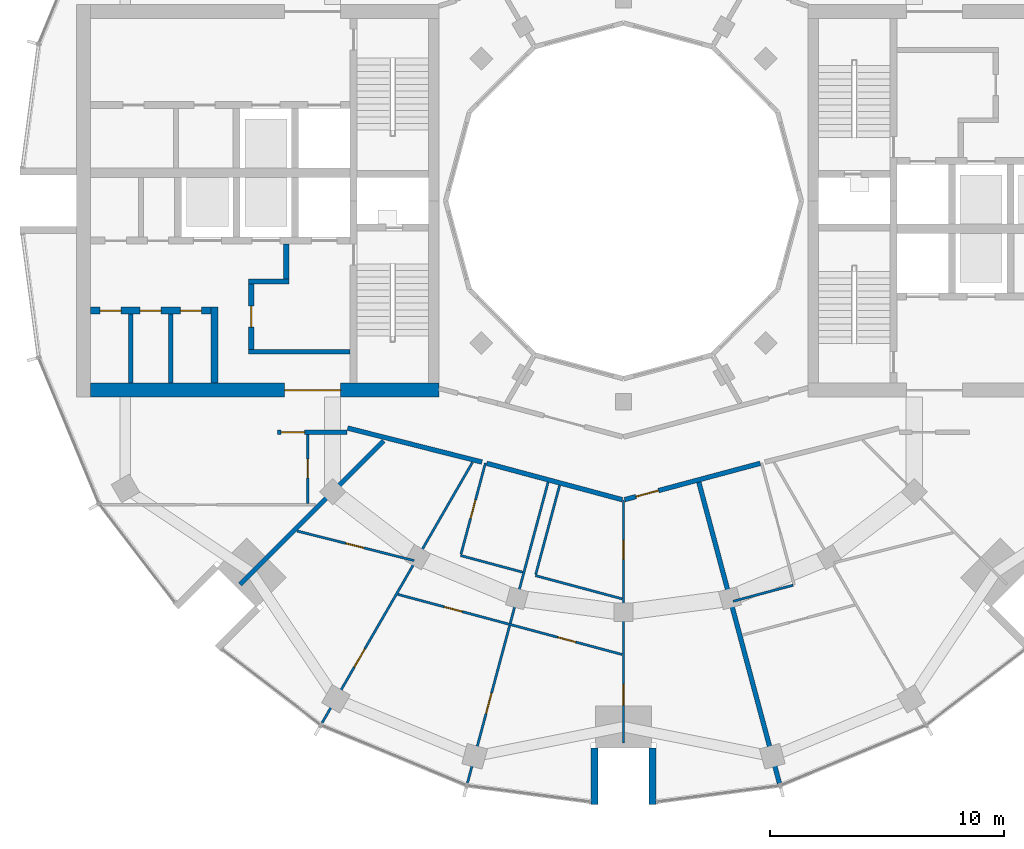
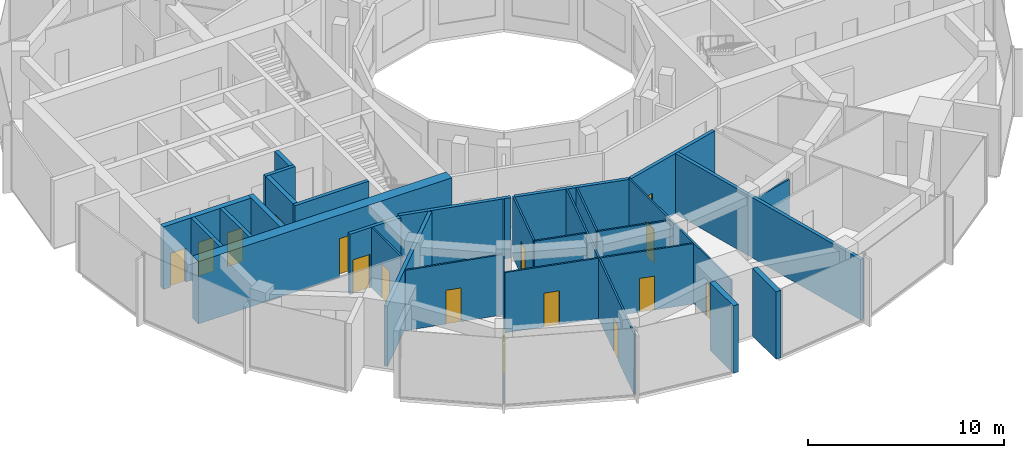
# One storey, part 8 of 15: 28 walls, 16 doors, 16 openings.
"""IFC4 building model written with IfcOpenShell, lengths in metres."""

from ifc_helpers import new_model, si_unit, direction, frame, frame_2d, origin, place, context, subcontext, project, spatial, rectangle, extrude, material, layer, layer_set, type_object, element, fill, save


model = new_model("IFC4")

# Units and contexts
model_context = context("Model", 3, precision=1e-05, world=origin(), true_north=direction((0.0, 1.0)))
body_context = subcontext(model_context, "Body", "Model", "MODEL_VIEW")
ifc_project = project(units=[si_unit("LENGTHUNIT", "METRE"), si_unit("AREAUNIT", "SQUARE_METRE"), si_unit("VOLUMEUNIT", "CUBIC_METRE"), si_unit("PLANEANGLEUNIT", "RADIAN"), si_unit("MASSUNIT", "GRAM", prefix="KILO")], contexts=[model_context])

# Site, building, storey
site_placement = place(None, origin())
site = spatial("IfcSite", under=ifc_project, at=site_placement, CompositionType="ELEMENT")
building_placement = place(site_placement, origin())
building = spatial("IfcBuilding", under=site, at=building_placement, Name="Torre Brocal", CompositionType="ELEMENT")
storey_placement = place(building_placement, frame((0.0, 0.0, 258.300048828125)))
storey = spatial("IfcBuildingStorey", under=building, at=storey_placement, Name="L59", CompositionType="ELEMENT", Elevation=258.300048828125)

# Walls
ifc_material_1 = material(Name="Masonry block", Category="masonry")
ifc_layer_1 = layer(ifc_material_1, 0.199951171875)
ifc_layer_set_1 = layer_set([ifc_layer_1], Name="Masonry block")
wall_type_1 = type_object("IfcWallType", Name="CORE PARTITION 200", PredefinedType="PARTITIONING", material=ifc_layer_set_1)
for number, where, z_axis, x_axis, name in (
    (1, (60.63330078125, 70.14990234375, 0.0), (0.0, 0.0, 1.0), (0.0, -1.0, 0.0), "Wall CP200"),
    (2, (58.916748046875, 70.14990234375, 0.0), (0.0, 0.0, 1.0), (0.0, -1.0, 0.0), "Wall CP200"),
):
    element("IfcWall", number, at=place(storey_placement, frame(where, z_axis=z_axis, x_axis=x_axis)), inside=storey, type_object=wall_type_1, Name=name, PredefinedType="PARTITIONING", context=body_context, shape_type="SweptSolid", body=[
        extrude(rectangle(XDim=2.949951171875, YDim=0.199951171875, at=frame_2d((1.47509765625, 0.0))), origin(), (0.0, 0.0, 1.0), 3.8798828125),
    ])
ifc_material_2 = material(Name="Concrete C60", Category="concrete")
ifc_layer_2 = layer(ifc_material_2, 0.199951171875)
ifc_layer_set_2 = layer_set([ifc_layer_2], Name="Concrete C60")
wall_type_2 = type_object("IfcWallType", Name="CORE WALL 200 C60", PredefinedType="SHEAR", material=ifc_layer_set_2)
wall_1_placement = place(storey_placement, frame((68.300048828125, 68.550048828125, 0.0), z_axis=(0.0, 0.0, 1.0), x_axis=(-1.0, 0.0, 0.0)))
element("IfcWall", 3, at=wall_1_placement, inside=storey, type_object=wall_type_2, Name="Wall CW200-60", PredefinedType="SHEAR", context=body_context, shape_type="SweptSolid", body=[
    extrude(rectangle(XDim=4.35009765625, YDim=0.199951171875, at=frame_2d((2.175048828125, 0.0))), origin(), (0.0, 0.0, 1.0), 3.8798828125),
])
wall_2_placement = place(storey_placement, frame((65.699951171875, 71.550048828125, 0.0), z_axis=(0.0, 0.0, 1.0), x_axis=(-1.0, 0.0, 0.0)))
element("IfcWall", 4, at=wall_2_placement, inside=storey, type_object=wall_type_2, Name="Wall CW200-60", PredefinedType="SHEAR", context=body_context, shape_type="SweptSolid", body=[
    extrude(rectangle(XDim=1.75, YDim=0.199951171875, at=frame_2d((0.875, 0.0))), origin(), (0.0, 0.0, 1.0), 3.8798828125),
])

# Wall, opening, door
ifc_material_3 = material(Name="Concrete C60", Category="concrete")
ifc_layer_3 = layer(ifc_material_3, 0.25)
ifc_layer_set_3 = layer_set([ifc_layer_3], Name="Concrete C60")
wall_type_3 = type_object("IfcWallType", Name="CORE WALL 250 C60", PredefinedType="SHEAR", material=ifc_layer_set_3)
wall_3_placement = place(storey_placement, frame((64.074951171875, 71.449951171875, 0.0), z_axis=(0.0, 0.0, 1.0), x_axis=(0.0, -1.0, 0.0)))
wall_3 = element("IfcWall", 5, at=wall_3_placement, inside=storey, type_object=wall_type_3, Name="Wall CW250-60", PredefinedType="SHEAR", context=body_context, shape_type="SweptSolid", body=[
    extrude(rectangle(XDim=2.800048828125, YDim=0.25, at=frame_2d((1.39990234375, 0.0))), origin(), (0.0, 0.0, 1.0), 3.8798828125),
])
opening_1_placement = place(wall_3_placement, frame((0.949951171875, 0.0, 0.0)))
opening_1 = element("IfcOpeningElement", 6, at=opening_1_placement, cuts=wall_3, Name="Opening W-D08", PredefinedType="OPENING", context=body_context, shape_type="SweptSolid", body=[
    extrude(rectangle(XDim=0.89990234375, YDim=2.10009765625, at=frame_2d((0.449951171875, 1.050048828125))), frame((0.0, 0.135009765625, 0.0), z_axis=(0.0, -1.0, 0.0), x_axis=(1.0, 0.0, 0.0)), (0.0, 0.0, 1.0), 0.27001953125),
])
ifc_material_4 = material(Name="Steel A653", Category="steel")
door_type_1 = type_object("IfcDoorType", Name="LOBBY DOOR FD120 900X2100", OperationType="SINGLE_SWING_RIGHT", PredefinedType="DOOR", material=ifc_material_4)
door_1_placement = place(opening_1_placement, origin())
door_1 = element("IfcDoor", 7, at=door_1_placement, inside=storey, type_object=door_type_1, Name="Door W-D08", OperationType="SINGLE_SWING_LEFT", OverallHeight=2.10009765625, OverallWidth=0.89990234375, PredefinedType="DOOR", context=body_context, shape_type="SweptSolid", body=[
    extrude(rectangle(XDim=0.89990234375, YDim=2.10009765625, at=frame_2d((0.449951171875, 1.050048828125))), frame((0.0, 0.02490234375, 0.0), z_axis=(0.0, -1.0, 0.0), x_axis=(1.0, 0.0, 0.0)), (0.0, 0.0, 1.0), 0.050048828125),
])
fill(opening_1, door_1)

# Walls
wall_4_placement = place(storey_placement, frame((65.574951171875, 73.14990234375, 0.0), z_axis=(0.0, 0.0, 1.0), x_axis=(0.0, -1.0, 0.0)))
element("IfcWall", 8, at=wall_4_placement, inside=storey, type_object=wall_type_3, Name="Wall CW250-60", PredefinedType="SHEAR", context=body_context, shape_type="SweptSolid", body=[
    extrude(rectangle(XDim=1.5, YDim=0.25, at=frame_2d((0.75, 0.0))), origin(), (0.0, 0.0, 1.0), 3.8798828125),
])
ifc_material_5 = material(Name="Concrete C60", Category="concrete")
ifc_layer_4 = layer(ifc_material_5, 0.300048828125)
ifc_layer_set_4 = layer_set([ifc_layer_4], Name="Concrete C60")
wall_type_4 = type_object("IfcWallType", Name="CORE WALL 300 C60", PredefinedType="SHEAR", material=ifc_layer_set_4)
wall_5_placement = place(storey_placement, frame((62.5, 70.449951171875, 0.0), z_axis=(0.0, 0.0, 1.0), x_axis=(0.0, -1.0, 0.0)))
element("IfcWall", 9, at=wall_5_placement, inside=storey, type_object=wall_type_4, Name="Wall CW300-60", PredefinedType="SHEAR", context=body_context, shape_type="SweptSolid", body=[
    extrude(rectangle(XDim=3.25, YDim=0.300048828125, at=frame_2d((1.625, 0.0))), origin(), (0.0, 0.0, 1.0), 3.8798828125),
])

# Wall, openings, doors
wall_6_placement = place(storey_placement, frame((62.35009765625, 70.300048828125, 0.0), z_axis=(0.0, 0.0, 1.0), x_axis=(-1.0, 0.0, 0.0)))
wall_6 = element("IfcWall", 10, at=wall_6_placement, inside=storey, type_object=wall_type_4, Name="Wall CW300-60", PredefinedType="SHEAR", context=body_context, shape_type="SweptSolid", body=[
    extrude(rectangle(XDim=5.150146484375, YDim=0.300048828125, at=frame_2d((2.5751953125, 0.0))), origin(), (0.0, 0.0, 1.0), 3.8798828125),
])
opening_2_placement = place(wall_6_placement, frame((0.408203125, 0.0, 0.0)))
opening_2 = element("IfcOpeningElement", 11, at=opening_2_placement, cuts=wall_6, Name="Opening W-D09", PredefinedType="OPENING", context=body_context, shape_type="SweptSolid", body=[
    extrude(rectangle(XDim=0.89990234375, YDim=2.10009765625, at=frame_2d((0.449951171875, 1.050048828125))), frame((0.0, 0.159912109375, 0.0), z_axis=(0.0, -1.0, 0.0), x_axis=(1.0, 0.0, 0.0)), (0.0, 0.0, 1.0), 0.320068359375),
])
opening_3_placement = place(wall_6_placement, frame((2.125, 0.0, 0.0)))
opening_3 = element("IfcOpeningElement", 12, at=opening_3_placement, cuts=wall_6, Name="Opening W-D10", PredefinedType="OPENING", context=body_context, shape_type="SweptSolid", body=[
    extrude(rectangle(XDim=0.89990234375, YDim=2.10009765625, at=frame_2d((0.449951171875, 1.050048828125))), frame((0.0, 0.159912109375, 0.0), z_axis=(0.0, -1.0, 0.0), x_axis=(1.0, 0.0, 0.0)), (0.0, 0.0, 1.0), 0.320068359375),
])
opening_4_placement = place(wall_6_placement, frame((3.841796875, 0.0, 0.0)))
opening_4 = element("IfcOpeningElement", 13, at=opening_4_placement, cuts=wall_6, Name="Opening W-D11", PredefinedType="OPENING", context=body_context, shape_type="SweptSolid", body=[
    extrude(rectangle(XDim=0.89990234375, YDim=2.10009765625, at=frame_2d((0.449951171875, 1.050048828125))), frame((0.0, 0.159912109375, 0.0), z_axis=(0.0, -1.0, 0.0), x_axis=(1.0, 0.0, 0.0)), (0.0, 0.0, 1.0), 0.320068359375),
])
ifc_material_6 = material(Name="Steel A653", Category="steel")
door_type_2 = type_object("IfcDoorType", Name="ROOM DOOR FD30S 900X2100", OperationType="SINGLE_SWING_LEFT", PredefinedType="DOOR", material=ifc_material_6)
door_2_placement = place(opening_2_placement, origin())
door_2 = element("IfcDoor", 14, at=door_2_placement, inside=storey, type_object=door_type_2, Name="Door W-D09", OperationType="SINGLE_SWING_RIGHT", OverallHeight=2.10009765625, OverallWidth=0.89990234375, PredefinedType="DOOR", context=body_context, shape_type="SweptSolid", body=[
    extrude(rectangle(XDim=0.89990234375, YDim=2.10009765625, at=frame_2d((0.449951171875, 1.050048828125))), frame((0.0, 0.02490234375, 0.0), z_axis=(0.0, -1.0, 0.0), x_axis=(1.0, 0.0, 0.0)), (0.0, 0.0, 1.0), 0.050048828125),
])
fill(opening_2, door_2)
door_3_placement = place(opening_3_placement, origin())
door_3 = element("IfcDoor", 15, at=door_3_placement, inside=storey, type_object=door_type_2, Name="Door W-D10", OperationType="SINGLE_SWING_LEFT", OverallHeight=2.10009765625, OverallWidth=0.89990234375, PredefinedType="DOOR", context=body_context, shape_type="SweptSolid", body=[
    extrude(rectangle(XDim=0.89990234375, YDim=2.10009765625, at=frame_2d((0.449951171875, 1.050048828125))), frame((0.0, 0.02490234375, 0.0), z_axis=(0.0, -1.0, 0.0), x_axis=(1.0, 0.0, 0.0)), (0.0, 0.0, 1.0), 0.050048828125),
])
fill(opening_3, door_3)
door_4_placement = place(opening_4_placement, origin())
door_4 = element("IfcDoor", 16, at=door_4_placement, inside=storey, type_object=door_type_2, Name="Door W-D11", OperationType="SINGLE_SWING_LEFT", OverallHeight=2.10009765625, OverallWidth=0.89990234375, PredefinedType="DOOR", context=body_context, shape_type="SweptSolid", body=[
    extrude(rectangle(XDim=0.89990234375, YDim=2.10009765625, at=frame_2d((0.449951171875, 1.050048828125))), frame((0.0, 0.02490234375, 0.0), z_axis=(0.0, -1.0, 0.0), x_axis=(1.0, 0.0, 0.0)), (0.0, 0.0, 1.0), 0.050048828125),
])
fill(opening_4, door_4)

# Wall, opening, door
ifc_material_7 = material(Name="Concrete C60", Category="concrete")
ifc_layer_5 = layer(ifc_material_7, 0.60009765625)
ifc_layer_set_5 = layer_set([ifc_layer_5], Name="Concrete C60")
wall_type_5 = type_object("IfcWallType", Name="CORE WALL 600 C60", PredefinedType="SHEAR", material=ifc_layer_set_5)
wall_7_placement = place(storey_placement, frame((72.10009765625, 66.89990234375, 0.0), z_axis=(0.0, 0.0, 1.0), x_axis=(-1.0, 0.0, 0.0)))
wall_7 = element("IfcWall", 17, at=wall_7_placement, inside=storey, type_object=wall_type_5, Name="Wall CW600-60", PredefinedType="SHEAR", context=body_context, shape_type="SweptSolid", body=[
    extrude(rectangle(XDim=14.900146484375, YDim=0.60009765625, at=frame_2d((7.4501953125, 0.0))), origin(), (0.0, 0.0, 1.0), 3.8798828125),
])
opening_5_placement = place(wall_7_placement, frame((4.199951171875, 0.0, 0.0)))
opening_5 = element("IfcOpeningElement", 18, at=opening_5_placement, cuts=wall_7, Name="Opening W-D12", PredefinedType="OPENING", context=body_context, shape_type="SweptSolid", body=[
    extrude(rectangle(XDim=2.39990234375, YDim=2.39990234375, at=frame_2d((1.199951171875, 1.199951171875))), frame((0.0, 0.31005859375, 0.0), z_axis=(0.0, -1.0, 0.0), x_axis=(1.0, 0.0, 0.0)), (0.0, 0.0, 1.0), 0.6201171875),
])
ifc_material_8 = material(Name="Steel A653", Category="steel")
door_type_3 = type_object("IfcDoorType", Name="DOUBLE FIRE DOOR FD90 2400X2400", OperationType="DOUBLE_DOOR_SINGLE_SWING", PredefinedType="DOOR", material=ifc_material_8)
door_5_placement = place(opening_5_placement, frame((2.39990234375, 0.0, 0.0), z_axis=(0.0, 0.0, 1.0), x_axis=(-1.0, 0.0, 0.0)))
door_5 = element("IfcDoor", 19, at=door_5_placement, inside=storey, type_object=door_type_3, Name="Door W-D12", OperationType="DOUBLE_DOOR_SINGLE_SWING", OverallHeight=2.39990234375, OverallWidth=2.39990234375, PredefinedType="DOOR", context=body_context, shape_type="SweptSolid", body=[
    extrude(rectangle(XDim=2.39990234375, YDim=2.39990234375, at=frame_2d((1.199951171875, 1.199951171875))), frame((0.0, 0.02490234375, 0.0), z_axis=(0.0, -1.0, 0.0), x_axis=(1.0, 0.0, 0.0)), (0.0, 0.0, 1.0), 0.050048828125),
])
fill(opening_5, door_5)

# Walls
ifc_material_9 = material(Name="Concrete C60", Category="concrete")
ifc_layer_6 = layer(ifc_material_9, 0.300048828125)
ifc_layer_set_6 = layer_set([ifc_layer_6], Name="Concrete C60")
wall_type_6 = type_object("IfcWallType", Name="NOTCH RETURN WALL 300 C60", PredefinedType="NOTDEFINED", material=ifc_layer_set_6)
for number, where, z_axis, x_axis, name in (
    (20, (78.75, 51.60009765625, 0.0), (0.0, 0.0, 1.0), (0.0, -1.0, 0.0), "NOTCH RETURN WALL"),
    (21, (81.25, 51.60009765625, 0.0), (0.0, 0.0, 1.0), (0.0, -1.0, 0.0), "NOTCH RETURN WALL"),
):
    element("IfcWall", number, at=place(storey_placement, frame(where, z_axis=z_axis, x_axis=x_axis)), inside=storey, type_object=wall_type_6, Name=name, PredefinedType="NOTDEFINED", context=body_context, shape_type="SweptSolid", body=[
        extrude(rectangle(XDim=2.415771484375, YDim=0.300048828125, at=frame_2d((1.2080078125, 0.0))), origin(), (0.0, 0.0, 1.0), 4.199951171875),
    ])

# Wall, opening, door
ifc_material_10 = material(Name="Gypsum board", Category="Gypsum")
ifc_layer_7 = layer(ifc_material_10, 0.10009765625)
ifc_layer_set_7 = layer_set([ifc_layer_7], Name="Gypsum board")
wall_type_7 = type_object("IfcWallType", Name="PARTITION 100", PredefinedType="PARTITIONING", material=ifc_layer_set_7)
wall_8_placement = place(storey_placement, frame((66.044677734375, 60.874755859375, 0.0), z_axis=(0.0, 0.0, 1.0), x_axis=(0.969437033678, -0.245340248908, 0.0)))
wall_8 = element("IfcWall", 22, at=wall_8_placement, inside=storey, type_object=wall_type_7, Name="BATHROOM WALL", PredefinedType="PARTITIONING", context=body_context, shape_type="SweptSolid", body=[
    extrude(rectangle(XDim=5.15966796875, YDim=0.10009765625, at=frame_2d((2.579833984375, 0.0))), origin(), (0.0, 0.0, 1.0), 3.75),
])
opening_6_placement = place(wall_8_placement, frame((2.139892578125, 0.0, 0.0)))
opening_6 = element("IfcOpeningElement", 23, at=opening_6_placement, cuts=wall_8, Name="Opening B04-D35", PredefinedType="OPENING", context=body_context, shape_type="SweptSolid", body=[
    extrude(rectangle(XDim=0.800048828125, YDim=2.10009765625, at=frame_2d((0.39990234375, 1.050048828125))), frame((0.0, 0.06005859375, 0.0), z_axis=(0.0, -1.0, 0.0), x_axis=(1.0, 0.0, 0.0)), (0.0, 0.0, 1.0), 0.1201171875),
])
ifc_material_11 = material(Name="Timber", Category="wood")
door_type_4 = type_object("IfcDoorType", Name="BATHROOM DOOR 800X2100", OperationType="SINGLE_SWING_LEFT", PredefinedType="DOOR", material=ifc_material_11)
door_6_placement = place(opening_6_placement, origin())
door_6 = element("IfcDoor", 24, at=door_6_placement, inside=storey, type_object=door_type_4, Name="B04-D35", OperationType="SINGLE_SWING_LEFT", OverallHeight=2.10009765625, OverallWidth=0.800048828125, PredefinedType="DOOR", context=body_context, shape_type="SweptSolid", body=[
    extrude(rectangle(XDim=0.800048828125, YDim=2.10009765625, at=frame_2d((0.39990234375, 1.050048828125))), frame((0.0, 0.02490234375, 0.0), z_axis=(0.0, -1.0, 0.0), x_axis=(1.0, 0.0, 0.0)), (0.0, 0.0, 1.0), 0.050048828125),
])
fill(opening_6, door_6)

wall_9_placement = place(storey_placement, frame((66.5, 62.050048828125, 0.0), z_axis=(0.0, 0.0, 1.0), x_axis=(0.0, 1.0, 0.0)))
wall_9 = element("IfcWall", 25, at=wall_9_placement, inside=storey, type_object=wall_type_7, Name="BATHROOM WALL", PredefinedType="PARTITIONING", context=body_context, shape_type="SweptSolid", body=[
    extrude(rectangle(XDim=2.949951171875, YDim=0.10009765625, at=frame_2d((1.47509765625, 0.0))), origin(), (0.0, 0.0, 1.0), 3.75),
])
opening_7_placement = place(wall_9_placement, frame((1.10009765625, 0.0, 0.0)))
opening_7 = element("IfcOpeningElement", 26, at=opening_7_placement, cuts=wall_9, Name="Opening B04-D38", PredefinedType="OPENING", context=body_context, shape_type="SweptSolid", body=[
    extrude(rectangle(XDim=0.800048828125, YDim=2.10009765625, at=frame_2d((0.39990234375, 1.050048828125))), frame((0.0, 0.06005859375, 0.0), z_axis=(0.0, -1.0, 0.0), x_axis=(1.0, 0.0, 0.0)), (0.0, 0.0, 1.0), 0.1201171875),
])
door_7_placement = place(opening_7_placement, frame((0.800048828125, 0.0, 0.0), z_axis=(0.0, 0.0, 1.0), x_axis=(-1.0, 0.0, 0.0)))
door_7 = element("IfcDoor", 27, at=door_7_placement, inside=storey, type_object=door_type_4, Name="B04-D38", OperationType="SINGLE_SWING_LEFT", OverallHeight=2.10009765625, OverallWidth=0.800048828125, PredefinedType="DOOR", context=body_context, shape_type="SweptSolid", body=[
    extrude(rectangle(XDim=0.800048828125, YDim=2.10009765625, at=frame_2d((0.39990234375, 1.050048828125))), frame((0.0, 0.02490234375, 0.0), z_axis=(0.0, -1.0, 0.0), x_axis=(1.0, 0.0, 0.0)), (0.0, 0.0, 1.0), 0.050048828125),
])
fill(opening_7, door_7)

wall_10_placement = place(storey_placement, frame((67.100830078125, 52.65869140625, 0.0), z_axis=(0.0, 0.0, 1.0), x_axis=(0.499999276258, 0.866025821636, 0.0)))
wall_10 = element("IfcWall", 28, at=wall_10_placement, inside=storey, type_object=wall_type_7, Name="BATHROOM WALL", PredefinedType="PARTITIONING", context=body_context, shape_type="SweptSolid", body=[
    extrude(rectangle(XDim=12.87646484375, YDim=0.10009765625, at=frame_2d((6.438232421875, 0.0))), origin(), (0.0, 0.0, 1.0), 3.75),
])
opening_8_placement = place(wall_10_placement, frame((2.76318359375, 0.0, 0.0)))
opening_8 = element("IfcOpeningElement", 29, at=opening_8_placement, cuts=wall_10, Name="Opening B04-D34", PredefinedType="OPENING", context=body_context, shape_type="SweptSolid", body=[
    extrude(rectangle(XDim=0.89990234375, YDim=2.10009765625, at=frame_2d((0.449951171875, 1.050048828125))), frame((0.0, 0.06005859375, 0.0), z_axis=(0.0, -1.0, 0.0), x_axis=(1.0, 0.0, 0.0)), (0.0, 0.0, 1.0), 0.1201171875),
])
ifc_material_12 = material(Name="Timber", Category="wood")
door_type_5 = type_object("IfcDoorType", Name="ROOM DOOR 900X2100", OperationType="SINGLE_SWING_LEFT", PredefinedType="DOOR", material=ifc_material_12)
door_8_placement = place(opening_8_placement, origin())
door_8 = element("IfcDoor", 30, at=door_8_placement, inside=storey, type_object=door_type_5, Name="B04-D34", OperationType="SINGLE_SWING_LEFT", OverallHeight=2.10009765625, OverallWidth=0.89990234375, PredefinedType="DOOR", context=body_context, shape_type="SweptSolid", body=[
    extrude(rectangle(XDim=0.89990234375, YDim=2.10009765625, at=frame_2d((0.449951171875, 1.050048828125))), frame((0.0, 0.02490234375, 0.0), z_axis=(0.0, -1.0, 0.0), x_axis=(1.0, 0.0, 0.0)), (0.0, 0.0, 1.0), 0.050048828125),
])
fill(opening_8, door_8)

# Wall, openings, doors
wall_11_placement = place(storey_placement, frame((70.34716796875, 58.165283203125, 0.0), z_axis=(0.0, 0.0, 1.0), x_axis=(0.965891429463, -0.2589473817, 0.0)))
wall_11 = element("IfcWall", 31, at=wall_11_placement, inside=storey, type_object=wall_type_7, Name="BATHROOM WALL", PredefinedType="PARTITIONING", context=body_context, shape_type="SweptSolid", body=[
    extrude(rectangle(XDim=9.93359375, YDim=0.10009765625, at=frame_2d((4.966796875, 0.0))), origin(), (0.0, 0.0, 1.0), 3.75),
])
opening_9_placement = place(wall_11_placement, frame((7.08056640625, 0.0, 0.0)))
opening_9 = element("IfcOpeningElement", 32, at=opening_9_placement, cuts=wall_11, Name="Opening B04-D29", PredefinedType="OPENING", context=body_context, shape_type="SweptSolid", body=[
    extrude(rectangle(XDim=0.800048828125, YDim=2.10009765625, at=frame_2d((0.39990234375, 1.050048828125))), frame((0.0, 0.06005859375, 0.0), z_axis=(0.0, -1.0, 0.0), x_axis=(1.0, 0.0, 0.0)), (0.0, 0.0, 1.0), 0.1201171875),
])
opening_10_placement = place(wall_11_placement, frame((2.0537109375, 0.0, 0.0)))
opening_10 = element("IfcOpeningElement", 33, at=opening_10_placement, cuts=wall_11, Name="Opening B04-D32", PredefinedType="OPENING", context=body_context, shape_type="SweptSolid", body=[
    extrude(rectangle(XDim=0.800048828125, YDim=2.10009765625, at=frame_2d((0.39990234375, 1.050048828125))), frame((0.0, 0.06005859375, 0.0), z_axis=(0.0, -1.0, 0.0), x_axis=(1.0, 0.0, 0.0)), (0.0, 0.0, 1.0), 0.1201171875),
])
door_9_placement = place(opening_9_placement, origin())
door_9 = element("IfcDoor", 34, at=door_9_placement, inside=storey, type_object=door_type_4, Name="B04-D29", OperationType="SINGLE_SWING_RIGHT", OverallHeight=2.10009765625, OverallWidth=0.800048828125, PredefinedType="DOOR", context=body_context, shape_type="SweptSolid", body=[
    extrude(rectangle(XDim=0.800048828125, YDim=2.10009765625, at=frame_2d((0.39990234375, 1.050048828125))), frame((0.0, 0.02490234375, 0.0), z_axis=(0.0, -1.0, 0.0), x_axis=(1.0, 0.0, 0.0)), (0.0, 0.0, 1.0), 0.050048828125),
])
fill(opening_9, door_9)
door_10_placement = place(opening_10_placement, origin())
door_10 = element("IfcDoor", 35, at=door_10_placement, inside=storey, type_object=door_type_4, Name="B04-D32", OperationType="SINGLE_SWING_LEFT", OverallHeight=2.10009765625, OverallWidth=0.800048828125, PredefinedType="DOOR", context=body_context, shape_type="SweptSolid", body=[
    extrude(rectangle(XDim=0.800048828125, YDim=2.10009765625, at=frame_2d((0.39990234375, 1.050048828125))), frame((0.0, 0.02490234375, 0.0), z_axis=(0.0, -1.0, 0.0), x_axis=(1.0, 0.0, 0.0)), (0.0, 0.0, 1.0), 0.050048828125),
])
fill(opening_10, door_10)

# Wall, opening, door
wall_12_placement = place(storey_placement, frame((73.0458984375, 59.874755859375, 0.0), z_axis=(0.0, 0.0, 1.0), x_axis=(0.258983170584, 0.965881834053, 0.0)))
wall_12 = element("IfcWall", 36, at=wall_12_placement, inside=storey, type_object=wall_type_7, Name="BATHROOM WALL", PredefinedType="PARTITIONING", context=body_context, shape_type="SweptSolid", body=[
    extrude(rectangle(XDim=4.0498046875, YDim=0.10009765625, at=frame_2d((2.02490234375, 0.0))), origin(), (0.0, 0.0, 1.0), 3.75),
])
opening_11_placement = place(wall_12_placement, frame((1.599853515625, 0.0, 0.0)))
opening_11 = element("IfcOpeningElement", 37, at=opening_11_placement, cuts=wall_12, Name="Opening B04-D33", PredefinedType="OPENING", context=body_context, shape_type="SweptSolid", body=[
    extrude(rectangle(XDim=0.800048828125, YDim=2.10009765625, at=frame_2d((0.39990234375, 1.050048828125))), frame((0.0, 0.06005859375, 0.0), z_axis=(0.0, -1.0, 0.0), x_axis=(1.0, 0.0, 0.0)), (0.0, 0.0, 1.0), 0.1201171875),
])
door_11_placement = place(opening_11_placement, frame((0.800048828125, 0.0, 0.0), z_axis=(0.0, 0.0, 1.0), x_axis=(-1.0, 0.0, 0.0)))
door_11 = element("IfcDoor", 38, at=door_11_placement, inside=storey, type_object=door_type_4, Name="B04-D33", OperationType="SINGLE_SWING_RIGHT", OverallHeight=2.10009765625, OverallWidth=0.800048828125, PredefinedType="DOOR", context=body_context, shape_type="SweptSolid", body=[
    extrude(rectangle(XDim=0.800048828125, YDim=2.10009765625, at=frame_2d((0.39990234375, 1.050048828125))), frame((0.0, 0.02490234375, 0.0), z_axis=(0.0, -1.0, 0.0), x_axis=(1.0, 0.0, 0.0)), (0.0, 0.0, 1.0), 0.050048828125),
])
fill(opening_11, door_11)

# Wall
wall_13_placement = place(storey_placement, frame((73.034912109375, 59.82568359375, 0.0), z_axis=(0.0, 0.0, 1.0), x_axis=(0.965905892915, -0.258893426011, 0.0)))
element("IfcWall", 39, at=wall_13_placement, inside=storey, type_object=wall_type_7, Name="BATHROOM WALL", PredefinedType="PARTITIONING", context=body_context, shape_type="SweptSolid", body=[
    extrude(rectangle(XDim=2.740478515625, YDim=0.10009765625, at=frame_2d((1.3701171875, 0.0))), origin(), (0.0, 0.0, 1.0), 3.75),
])

# Wall, opening, door
wall_14_placement = place(storey_placement, frame((73.321533203125, 50.0810546875, 0.0), z_axis=(0.0, 0.0, 1.0), x_axis=(0.258871185824, 0.965911853717, 0.0)))
wall_14 = element("IfcWall", 40, at=wall_14_placement, inside=storey, type_object=wall_type_7, Name="BATHROOM WALL", PredefinedType="PARTITIONING", context=body_context, shape_type="SweptSolid", body=[
    extrude(rectangle(XDim=13.338134765625, YDim=0.10009765625, at=frame_2d((6.6689453125, 0.0))), origin(), (0.0, 0.0, 1.0), 3.75),
])
opening_12_placement = place(wall_14_placement, frame((3.093994140625, 0.0, 0.0)))
opening_12 = element("IfcOpeningElement", 41, at=opening_12_placement, cuts=wall_14, Name="Opening B04-D31", PredefinedType="OPENING", context=body_context, shape_type="SweptSolid", body=[
    extrude(rectangle(XDim=0.89990234375, YDim=2.10009765625, at=frame_2d((0.449951171875, 1.050048828125))), frame((0.0, 0.06005859375, 0.0), z_axis=(0.0, -1.0, 0.0), x_axis=(1.0, 0.0, 0.0)), (0.0, 0.0, 1.0), 0.1201171875),
])
door_12_placement = place(opening_12_placement, frame((0.89990234375, 0.0, 0.0), z_axis=(0.0, 0.0, 1.0), x_axis=(-1.0, 0.0, 0.0)))
door_12 = element("IfcDoor", 42, at=door_12_placement, inside=storey, type_object=door_type_5, Name="B04-D31", OperationType="SINGLE_SWING_RIGHT", OverallHeight=2.10009765625, OverallWidth=0.89990234375, PredefinedType="DOOR", context=body_context, shape_type="SweptSolid", body=[
    extrude(rectangle(XDim=0.89990234375, YDim=2.10009765625, at=frame_2d((0.449951171875, 1.050048828125))), frame((0.0, 0.02490234375, 0.0), z_axis=(0.0, -1.0, 0.0), x_axis=(1.0, 0.0, 0.0)), (0.0, 0.0, 1.0), 0.050048828125),
])
fill(opening_12, door_12)

# Walls
wall_15_placement = place(storey_placement, frame((76.246826171875, 59.016357421875, 0.0), z_axis=(0.0, 0.0, 1.0), x_axis=(0.258758738598, 0.965941983351, 0.0)))
element("IfcWall", 43, at=wall_15_placement, inside=storey, type_object=wall_type_7, Name="BATHROOM WALL", PredefinedType="PARTITIONING", context=body_context, shape_type="SweptSolid", body=[
    extrude(rectangle(XDim=3.950439453125, YDim=0.10009765625, at=frame_2d((1.97509765625, 0.0))), origin(), (0.0, 0.0, 1.0), 3.75),
])
wall_16_placement = place(storey_placement, frame((76.234130859375, 58.96826171875, 0.0), z_axis=(0.0, 0.0, 1.0), x_axis=(0.965915400995, -0.258857949697, 0.0)))
element("IfcWall", 44, at=wall_16_placement, inside=storey, type_object=wall_type_7, Name="BATHROOM WALL", PredefinedType="PARTITIONING", context=body_context, shape_type="SweptSolid", body=[
    extrude(rectangle(XDim=3.838623046875, YDim=0.10009765625, at=frame_2d((1.91943359375, 0.0))), origin(), (0.0, 0.0, 1.0), 3.75),
])

# Wall, openings, doors
wall_17_placement = place(storey_placement, frame((80.0, 51.800048828125, 0.0), z_axis=(0.0, 0.0, 1.0), x_axis=(0.0, 1.0, 0.0)))
wall_17 = element("IfcWall", 45, at=wall_17_placement, inside=storey, type_object=wall_type_7, Name="BATHROOM WALL", PredefinedType="PARTITIONING", context=body_context, shape_type="SweptSolid", body=[
    extrude(rectangle(XDim=10.404052734375, YDim=0.10009765625, at=frame_2d((5.2021484375, 0.0))), origin(), (0.0, 0.0, 1.0), 3.75),
])
opening_13_placement = place(wall_17_placement, frame((1.614013671875, 0.0, 0.0)))
opening_13 = element("IfcOpeningElement", 46, at=opening_13_placement, cuts=wall_17, Name="Opening B04-D28", PredefinedType="OPENING", context=body_context, shape_type="SweptSolid", body=[
    extrude(rectangle(XDim=0.89990234375, YDim=2.10009765625, at=frame_2d((0.449951171875, 1.050048828125))), frame((0.0, 0.06005859375, 0.0), z_axis=(0.0, -1.0, 0.0), x_axis=(1.0, 0.0, 0.0)), (0.0, 0.0, 1.0), 0.1201171875),
])
opening_14_placement = place(wall_17_placement, frame((7.87158203125, 0.0, 0.0)))
opening_14 = element("IfcOpeningElement", 47, at=opening_14_placement, cuts=wall_17, Name="Opening B04-D30", PredefinedType="OPENING", context=body_context, shape_type="SweptSolid", body=[
    extrude(rectangle(XDim=0.800048828125, YDim=2.10009765625, at=frame_2d((0.39990234375, 1.050048828125))), frame((0.0, 0.06005859375, 0.0), z_axis=(0.0, -1.0, 0.0), x_axis=(1.0, 0.0, 0.0)), (0.0, 0.0, 1.0), 0.1201171875),
])
door_13_placement = place(opening_14_placement, origin())
door_13 = element("IfcDoor", 48, at=door_13_placement, inside=storey, type_object=door_type_4, Name="B04-D30", OperationType="SINGLE_SWING_LEFT", OverallHeight=2.10009765625, OverallWidth=0.800048828125, PredefinedType="DOOR", context=body_context, shape_type="SweptSolid", body=[
    extrude(rectangle(XDim=0.800048828125, YDim=2.10009765625, at=frame_2d((0.39990234375, 1.050048828125))), frame((0.0, 0.02490234375, 0.0), z_axis=(0.0, -1.0, 0.0), x_axis=(1.0, 0.0, 0.0)), (0.0, 0.0, 1.0), 0.050048828125),
])
fill(opening_14, door_13)
door_14_placement = place(opening_13_placement, origin())
door_14 = element("IfcDoor", 49, at=door_14_placement, inside=storey, type_object=door_type_5, Name="B04-D28", OperationType="SINGLE_SWING_RIGHT", OverallHeight=2.10009765625, OverallWidth=0.89990234375, PredefinedType="DOOR", context=body_context, shape_type="SweptSolid", body=[
    extrude(rectangle(XDim=0.89990234375, YDim=2.10009765625, at=frame_2d((0.449951171875, 1.050048828125))), frame((0.0, 0.02490234375, 0.0), z_axis=(0.0, -1.0, 0.0), x_axis=(1.0, 0.0, 0.0)), (0.0, 0.0, 1.0), 0.050048828125),
])
fill(opening_13, door_14)

# Walls
ifc_material_13 = material(Name="Gypsum board", Category="Gypsum")
ifc_layer_8 = layer(ifc_material_13, 0.10009765625)
ifc_layer_set_8 = layer_set([ifc_layer_8], Name="Gypsum board")
wall_type_8 = type_object("IfcWallType", Name="PARTITION 100 UNDER BEAM 820", PredefinedType="PARTITIONING", material=ifc_layer_set_8)
wall_18_placement = place(storey_placement, frame((84.693603515625, 57.870849609375, 0.0), z_axis=(0.0, 0.0, 1.0), x_axis=(0.965896234037, 0.258929459649, 0.0)))
element("IfcWall", 50, at=wall_18_placement, inside=storey, type_object=wall_type_8, Name="BATHROOM WALL", PredefinedType="PARTITIONING", context=body_context, shape_type="SweptSolid", body=[
    extrude(rectangle(XDim=2.650390625, YDim=0.10009765625, at=frame_2d((1.3251953125, 0.0))), origin(), (0.0, 0.0, 1.0), 3.3798828125),
])
ifc_material_14 = material(Name="Gypsum board", Category="Gypsum")
ifc_layer_9 = layer(ifc_material_14, 0.199951171875)
ifc_layer_set_9 = layer_set([ifc_layer_9], Name="Gypsum board")
wall_type_9 = type_object("IfcWallType", Name="PARTITION 200 EI60", PredefinedType="PARTITIONING", material=ifc_layer_set_9)
wall_19_placement = place(storey_placement, frame((63.595703125, 58.595703125, 0.0), z_axis=(0.0, 0.0, 1.0), x_axis=(0.707106781187, 0.707106781187, 0.0)))
element("IfcWall", 51, at=wall_19_placement, inside=storey, type_object=wall_type_9, Name="BATHROOM WALL", PredefinedType="PARTITIONING", context=body_context, shape_type="SweptSolid", body=[
    extrude(rectangle(XDim=8.68896484375, YDim=0.199951171875, at=frame_2d((4.344482421875, 0.0))), origin(), (0.0, 0.0, 1.0), 3.75),
])

# Wall, opening, door
wall_20_placement = place(storey_placement, frame((65.199951171875, 65.10009765625, 0.0), z_axis=(0.0, 0.0, 1.0), x_axis=(1.0, 0.0, 0.0)))
wall_20 = element("IfcWall", 52, at=wall_20_placement, inside=storey, type_object=wall_type_9, Name="FLAT ENTRANCE WALL", PredefinedType="PARTITIONING", context=body_context, shape_type="SweptSolid", body=[
    extrude(rectangle(XDim=2.97998046875, YDim=0.199951171875, at=frame_2d((1.489990234375, 0.0))), origin(), (0.0, 0.0, 1.0), 3.75),
])
opening_15_placement = place(wall_20_placement, frame((0.159912109375, 0.0, 0.0)))
opening_15 = element("IfcOpeningElement", 53, at=opening_15_placement, cuts=wall_20, Name="Opening B04-D37", PredefinedType="OPENING", context=body_context, shape_type="SweptSolid", body=[
    extrude(rectangle(XDim=1.0, YDim=2.10009765625, at=frame_2d((0.5, 1.050048828125))), frame((0.0, 0.10986328125, 0.0), z_axis=(0.0, -1.0, 0.0), x_axis=(1.0, 0.0, 0.0)), (0.0, 0.0, 1.0), 0.219970703125),
])
ifc_material_15 = material(Name="Timber", Category="wood")
door_type_6 = type_object("IfcDoorType", Name="FLAT ENTRY DOOR FD30S 1000X2100", OperationType="SINGLE_SWING_RIGHT", PredefinedType="DOOR", material=ifc_material_15)
door_15_placement = place(opening_15_placement, frame((1.0, 0.0, 0.0), z_axis=(0.0, 0.0, 1.0), x_axis=(-1.0, 0.0, 0.0)))
door_15 = element("IfcDoor", 54, at=door_15_placement, inside=storey, type_object=door_type_6, Name="B04-D37", OperationType="SINGLE_SWING_LEFT", OverallHeight=2.10009765625, OverallWidth=1.0, PredefinedType="DOOR", context=body_context, shape_type="SweptSolid", body=[
    extrude(rectangle(XDim=1.0, YDim=2.10009765625, at=frame_2d((0.5, 1.050048828125))), frame((0.0, 0.02490234375, 0.0), z_axis=(0.0, -1.0, 0.0), x_axis=(1.0, 0.0, 0.0)), (0.0, 0.0, 1.0), 0.050048828125),
])
fill(opening_15, door_15)

# Walls
wall_21_placement = place(storey_placement, frame((68.199951171875, 65.280029296875, 0.0), z_axis=(0.0, 0.0, 1.0), x_axis=(0.969450596516, -0.245286650503, 0.0)))
element("IfcWall", 55, at=wall_21_placement, inside=storey, type_object=wall_type_9, Name="GUESTROOM CORRIDOR WALL", PredefinedType="PARTITIONING", context=body_context, shape_type="SweptSolid", body=[
    extrude(rectangle(XDim=5.92822265625, YDim=0.199951171875, at=frame_2d((2.964111328125, 0.0))), origin(), (0.0, 0.0, 1.0), 3.75),
])
wall_22_placement = place(storey_placement, frame((74.150146484375, 63.7724609375, 0.0), z_axis=(0.0, 0.0, 1.0), x_axis=(0.965801140662, -0.259283930655, 0.0)))
element("IfcWall", 56, at=wall_22_placement, inside=storey, type_object=wall_type_9, Name="CORRIDOR WALL", PredefinedType="PARTITIONING", context=body_context, shape_type="SweptSolid", body=[
    extrude(rectangle(XDim=6.00634765625, YDim=0.199951171875, at=frame_2d((3.003173828125, 0.0))), origin(), (0.0, 0.0, 1.0), 3.75),
])

# Wall, opening, door
wall_23_placement = place(storey_placement, frame((80.04833984375, 62.217041015625, 0.0), z_axis=(0.0, 0.0, 1.0), x_axis=(0.965941520544, 0.258760466242, 0.0)))
wall_23 = element("IfcWall", 57, at=wall_23_placement, inside=storey, type_object=wall_type_9, Name="FLAT ENTRANCE WALL", PredefinedType="PARTITIONING", context=body_context, shape_type="SweptSolid", body=[
    extrude(rectangle(XDim=6.00634765625, YDim=0.199951171875, at=frame_2d((3.003173828125, 0.0))), origin(), (0.0, 0.0, 1.0), 3.75),
])
opening_16_placement = place(wall_23_placement, frame((0.5, 0.0, 0.0)))
opening_16 = element("IfcOpeningElement", 58, at=opening_16_placement, cuts=wall_23, Name="Opening B04-D27", PredefinedType="OPENING", context=body_context, shape_type="SweptSolid", body=[
    extrude(rectangle(XDim=1.0, YDim=2.10009765625, at=frame_2d((0.5, 1.050048828125))), frame((0.0, 0.10986328125, 0.0), z_axis=(0.0, -1.0, 0.0), x_axis=(1.0, 0.0, 0.0)), (0.0, 0.0, 1.0), 0.219970703125),
])
door_16_placement = place(opening_16_placement, frame((1.0, 0.0, 0.0), z_axis=(0.0, 0.0, 1.0), x_axis=(-1.0, 0.0, 0.0)))
door_16 = element("IfcDoor", 59, at=door_16_placement, inside=storey, type_object=door_type_6, Name="B04-D27", OperationType="SINGLE_SWING_RIGHT", OverallHeight=2.10009765625, OverallWidth=1.0, PredefinedType="DOOR", context=body_context, shape_type="SweptSolid", body=[
    extrude(rectangle(XDim=1.0, YDim=2.10009765625, at=frame_2d((0.5, 1.050048828125))), frame((0.0, 0.02490234375, 0.0), z_axis=(0.0, -1.0, 0.0), x_axis=(1.0, 0.0, 0.0)), (0.0, 0.0, 1.0), 0.050048828125),
])
fill(opening_16, door_16)

# Wall
wall_24_placement = place(storey_placement, frame((83.222900390625, 62.9638671875, 0.0), z_axis=(0.0, 0.0, 1.0), x_axis=(0.25865252128, -0.965970430829, 0.0)))
element("IfcWall", 60, at=wall_24_placement, inside=storey, type_object=wall_type_9, Name="BATHROOM WALL", PredefinedType="PARTITIONING", context=body_context, shape_type="SweptSolid", body=[
    extrude(rectangle(XDim=13.338134765625, YDim=0.199951171875, at=frame_2d((6.6689453125, 0.0))), origin(), (0.0, 0.0, 1.0), 3.75),
])

save(model, "model.ifc")
